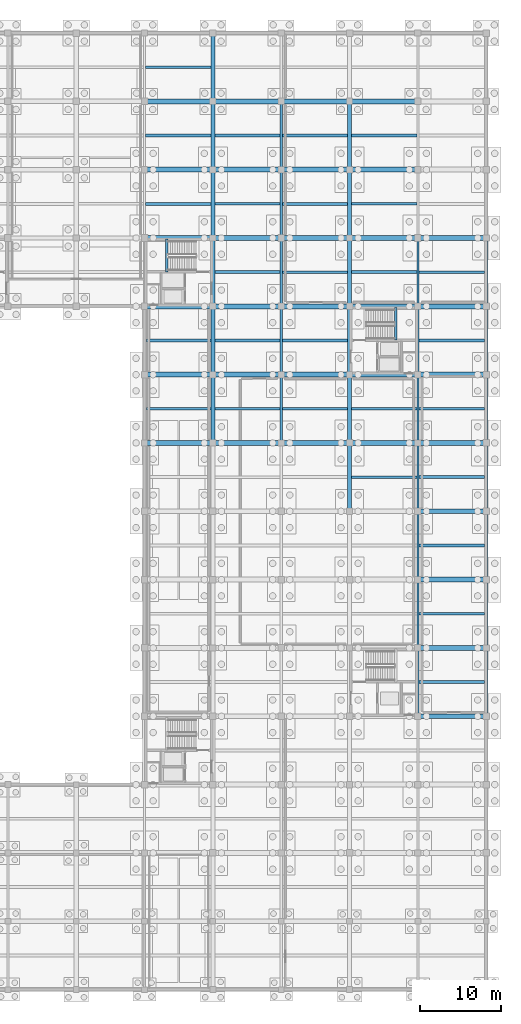
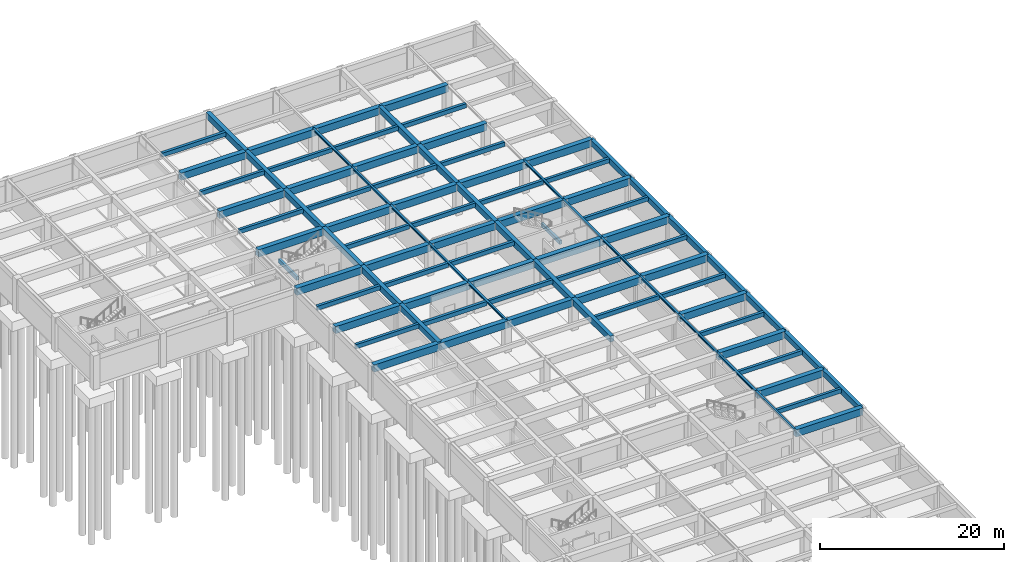
# One storey, part 13 of 33: 92 beams.
"""IFC4 building model written with IfcOpenShell, lengths in metres."""

from ifc_helpers import new_model, si_unit, direction, frame, origin, origin_2d, place, context, subcontext, project, spatial, rectangle, i_section, extrude, material, material_profile, profile_set, type_object, element, save


model = new_model("IFC4")

# Units and contexts
model_context = context("Model", 3, precision=1e-05, world=origin(), true_north=direction((0.0, 1.0)))
body_context = subcontext(model_context, "Body", "Model", "MODEL_VIEW")
ifc_project = project(units=[si_unit("LENGTHUNIT", "METRE"), si_unit("AREAUNIT", "SQUARE_METRE"), si_unit("VOLUMEUNIT", "CUBIC_METRE"), si_unit("PLANEANGLEUNIT", "RADIAN"), si_unit("MASSUNIT", "GRAM", prefix="KILO")], contexts=[model_context])

# Site, building, storey
site_placement = place(None, origin())
site = spatial("IfcSite", under=ifc_project, at=site_placement, CompositionType="ELEMENT")
building_placement = place(site_placement, origin())
building = spatial("IfcBuilding", under=site, at=building_placement, Name="Kveldsbrygga Polytechnic", CompositionType="ELEMENT")
storey_placement = place(building_placement, frame((0.0, 0.0, -4.419921875)))
storey = spatial("IfcBuildingStorey", under=building, at=storey_placement, Name="B1", CompositionType="ELEMENT", Elevation=-4.419921875)

# Beams
ifc_material_1 = material(Name="Concrete C35/45", Category="concrete")
ifc_material_profile_1 = material_profile(ifc_material_1, rectangle(XDim=0.449951171875, YDim=0.75, at=origin_2d()), Name="RC 450x750")
ifc_profile_set_1 = profile_set([ifc_material_profile_1], Name="Concrete C35/45")
beam_type_1 = type_object("IfcBeamType", Name="BM-RC-450x750", PredefinedType="BEAM", material=ifc_profile_set_1)
for number, where, z_axis, x_axis, name in (
    (1, (168.0, 33.60009765625, 3.744873046875), (0.0, 1.0, 0.0), (-1.0, 0.0, 0.0), "Primary Beam BMY-B1-20-04to05"),
    (2, (168.0, 42.0, 3.744873046875), (0.0, 1.0, 0.0), (-1.0, 0.0, 0.0), "Primary Beam BMY-B1-20-05to06"),
):
    element("IfcBeam", number, at=place(storey_placement, frame(where, z_axis=z_axis, x_axis=x_axis)), inside=storey, type_object=beam_type_1, Name=name, PredefinedType="BEAM", context=body_context, shape_type="SweptSolid", body=[
        extrude(rectangle(XDim=0.449951171875, YDim=0.75, at=origin_2d()), origin(), (0.0, 0.0, 1.0), 8.39990234375),
    ])
beam_1_placement = place(storey_placement, frame((168.0, 50.39990234375, 3.744873046875), z_axis=(0.0, 1.0, 0.0), x_axis=(-1.0, 0.0, 0.0)))
element("IfcBeam", 3, at=beam_1_placement, inside=storey, type_object=beam_type_1, Name="Primary Beam BMY-B1-20-06to07", PredefinedType="BEAM", context=body_context, shape_type="SweptSolid", body=[
    extrude(rectangle(XDim=0.449951171875, YDim=0.75, at=origin_2d()), origin(), (0.0, 0.0, 1.0), 8.400146484375),
])
beam_2_placement = place(storey_placement, frame((168.0, 58.800048828125, 3.744873046875), z_axis=(0.0, 1.0, 0.0), x_axis=(-1.0, 0.0, 0.0)))
element("IfcBeam", 4, at=beam_2_placement, inside=storey, type_object=beam_type_1, Name="Primary Beam BMY-B1-20-07to08", PredefinedType="BEAM", context=body_context, shape_type="SweptSolid", body=[
    extrude(rectangle(XDim=0.449951171875, YDim=0.75, at=origin_2d()), origin(), (0.0, 0.0, 1.0), 8.39990234375),
])
beam_3_placement = place(storey_placement, frame((168.0, 67.199951171875, 3.744873046875), z_axis=(0.0, 1.0, 0.0), x_axis=(-1.0, 0.0, 0.0)))
element("IfcBeam", 5, at=beam_3_placement, inside=storey, type_object=beam_type_1, Name="Primary Beam BMY-B1-20-08to09", PredefinedType="BEAM", context=body_context, shape_type="SweptSolid", body=[
    extrude(rectangle(XDim=0.449951171875, YDim=0.75, at=origin_2d()), origin(), (0.0, 0.0, 1.0), 8.400146484375),
])
for number, where, z_axis, x_axis, name in (
    (6, (168.0, 75.60009765625, 3.744873046875), (0.0, 1.0, 0.0), (-1.0, 0.0, 0.0), "Primary Beam BMY-B1-20-09to10"),
    (7, (168.0, 84.0, 3.744873046875), (0.0, 1.0, 0.0), (-1.0, 0.0, 0.0), "Primary Beam BMY-B1-20-10to11"),
):
    element("IfcBeam", number, at=place(storey_placement, frame(where, z_axis=z_axis, x_axis=x_axis)), inside=storey, type_object=beam_type_1, Name=name, PredefinedType="BEAM", context=body_context, shape_type="SweptSolid", body=[
        extrude(rectangle(XDim=0.449951171875, YDim=0.75, at=origin_2d()), origin(), (0.0, 0.0, 1.0), 8.39990234375),
    ])
ifc_material_profile_2 = material_profile(ifc_material_1, rectangle(XDim=0.5, YDim=0.800048828125, at=origin_2d()), Name="RC 500x800")
ifc_profile_set_2 = profile_set([ifc_material_profile_2], Name="Concrete C35/45")
beam_type_2 = type_object("IfcBeamType", Name="BM-RC-500x800", PredefinedType="BEAM", material=ifc_profile_set_2)
beam_4_placement = place(storey_placement, frame((134.39990234375, 67.199951171875, 3.719970703125), z_axis=(0.0, 1.0, 0.0), x_axis=(-1.0, 0.0, 0.0)))
element("IfcBeam", 8, at=beam_4_placement, inside=storey, type_object=beam_type_2, Name="Primary Beam BMY-B1-16-08to09", PredefinedType="BEAM", context=body_context, shape_type="SweptSolid", body=[
    extrude(rectangle(XDim=0.5, YDim=0.800048828125, at=origin_2d()), origin(), (0.0, 0.0, 1.0), 8.400146484375),
])
for number, where, z_axis, x_axis, name in (
    (9, (134.39990234375, 75.60009765625, 3.719970703125), (0.0, 1.0, 0.0), (-1.0, 0.0, 0.0), "Primary Beam BMY-B1-16-09to10"),
    (10, (134.39990234375, 84.0, 3.719970703125), (0.0, 1.0, 0.0), (-1.0, 0.0, 0.0), "Primary Beam BMY-B1-16-10to11"),
):
    element("IfcBeam", number, at=place(storey_placement, frame(where, z_axis=z_axis, x_axis=x_axis)), inside=storey, type_object=beam_type_2, Name=name, PredefinedType="BEAM", context=body_context, shape_type="SweptSolid", body=[
        extrude(rectangle(XDim=0.5, YDim=0.800048828125, at=origin_2d()), origin(), (0.0, 0.0, 1.0), 8.39990234375),
    ])
beam_5_placement = place(storey_placement, frame((134.39990234375, 92.39990234375, 3.719970703125), z_axis=(0.0, 1.0, 0.0), x_axis=(-1.0, 0.0, 0.0)))
element("IfcBeam", 11, at=beam_5_placement, inside=storey, type_object=beam_type_2, Name="Primary Beam BMY-B1-16-11to12", PredefinedType="BEAM", context=body_context, shape_type="SweptSolid", body=[
    extrude(rectangle(XDim=0.5, YDim=0.800048828125, at=origin_2d()), origin(), (0.0, 0.0, 1.0), 8.400146484375),
])
beam_6_placement = place(storey_placement, frame((134.39990234375, 100.800048828125, 3.719970703125), z_axis=(0.0, 1.0, 0.0), x_axis=(-1.0, 0.0, 0.0)))
element("IfcBeam", 12, at=beam_6_placement, inside=storey, type_object=beam_type_2, Name="Primary Beam BMY-B1-16-12to13", PredefinedType="BEAM", context=body_context, shape_type="SweptSolid", body=[
    extrude(rectangle(XDim=0.5, YDim=0.800048828125, at=origin_2d()), origin(), (0.0, 0.0, 1.0), 8.39990234375),
])
beam_7_placement = place(storey_placement, frame((134.39990234375, 109.199951171875, 3.719970703125), z_axis=(0.0, 1.0, 0.0), x_axis=(-1.0, 0.0, 0.0)))
element("IfcBeam", 13, at=beam_7_placement, inside=storey, type_object=beam_type_2, Name="Primary Beam BMY-B1-16-13to14", PredefinedType="BEAM", context=body_context, shape_type="SweptSolid", body=[
    extrude(rectangle(XDim=0.5, YDim=0.800048828125, at=origin_2d()), origin(), (0.0, 0.0, 1.0), 8.400146484375),
])
beam_8_placement = place(storey_placement, frame((151.199951171875, 58.800048828125, 3.719970703125), z_axis=(0.0, 1.0, 0.0), x_axis=(-1.0, 0.0, 0.0)))
element("IfcBeam", 14, at=beam_8_placement, inside=storey, type_object=beam_type_2, Name="Primary Beam BMY-B1-18-07to08", PredefinedType="BEAM", context=body_context, shape_type="SweptSolid", body=[
    extrude(rectangle(XDim=0.5, YDim=0.800048828125, at=origin_2d()), origin(), (0.0, 0.0, 1.0), 8.39990234375),
])
beam_9_placement = place(storey_placement, frame((151.199951171875, 67.199951171875, 3.719970703125), z_axis=(0.0, 1.0, 0.0), x_axis=(-1.0, 0.0, 0.0)))
element("IfcBeam", 15, at=beam_9_placement, inside=storey, type_object=beam_type_2, Name="Primary Beam BMY-B1-18-08to09", PredefinedType="BEAM", context=body_context, shape_type="SweptSolid", body=[
    extrude(rectangle(XDim=0.5, YDim=0.800048828125, at=origin_2d()), origin(), (0.0, 0.0, 1.0), 8.400146484375),
])
for number, where, z_axis, x_axis, name in (
    (16, (151.199951171875, 75.60009765625, 3.719970703125), (0.0, 1.0, 0.0), (-1.0, 0.0, 0.0), "Primary Beam BMY-B1-18-09to10"),
    (17, (151.199951171875, 84.0, 3.719970703125), (0.0, 1.0, 0.0), (-1.0, 0.0, 0.0), "Primary Beam BMY-B1-18-10to11"),
):
    element("IfcBeam", number, at=place(storey_placement, frame(where, z_axis=z_axis, x_axis=x_axis)), inside=storey, type_object=beam_type_2, Name=name, PredefinedType="BEAM", context=body_context, shape_type="SweptSolid", body=[
        extrude(rectangle(XDim=0.5, YDim=0.800048828125, at=origin_2d()), origin(), (0.0, 0.0, 1.0), 8.39990234375),
    ])
beam_10_placement = place(storey_placement, frame((151.199951171875, 92.39990234375, 3.719970703125), z_axis=(0.0, 1.0, 0.0), x_axis=(-1.0, 0.0, 0.0)))
element("IfcBeam", 18, at=beam_10_placement, inside=storey, type_object=beam_type_2, Name="Primary Beam BMY-B1-18-11to12", PredefinedType="BEAM", context=body_context, shape_type="SweptSolid", body=[
    extrude(rectangle(XDim=0.5, YDim=0.800048828125, at=origin_2d()), origin(), (0.0, 0.0, 1.0), 8.400146484375),
])
beam_11_placement = place(storey_placement, frame((151.199951171875, 100.800048828125, 3.719970703125), z_axis=(0.0, 1.0, 0.0), x_axis=(-1.0, 0.0, 0.0)))
element("IfcBeam", 19, at=beam_11_placement, inside=storey, type_object=beam_type_2, Name="Primary Beam BMY-B1-18-12to13", PredefinedType="BEAM", context=body_context, shape_type="SweptSolid", body=[
    extrude(rectangle(XDim=0.5, YDim=0.800048828125, at=origin_2d()), origin(), (0.0, 0.0, 1.0), 8.39990234375),
])
ifc_material_2 = material(Name="Concrete C45/55", Category="concrete")
ifc_material_profile_3 = material_profile(ifc_material_2, rectangle(XDim=0.60009765625, YDim=0.949951171875, at=origin_2d()), Name="RC 600x950")
ifc_profile_set_3 = profile_set([ifc_material_profile_3], Name="Concrete C45/55")
beam_type_3 = type_object("IfcBeamType", Name="BM-RC-600x950", PredefinedType="BEAM", material=ifc_profile_set_3)
for number, where, z_axis, x_axis, name in (
    (20, (159.60009765625, 33.60009765625, 3.64501953125), (1.0, 0.0, 0.0), (0.0, 1.0, 0.0), "Primary Beam BMX-B1-19to20-04"),
    (21, (159.60009765625, 42.0, 3.64501953125), (1.0, 0.0, 0.0), (0.0, 1.0, 0.0), "Primary Beam BMX-B1-19to20-05"),
    (22, (159.60009765625, 50.39990234375, 3.64501953125), (1.0, 0.0, 0.0), (0.0, 1.0, 0.0), "Primary Beam BMX-B1-19to20-06"),
    (23, (159.60009765625, 58.800048828125, 3.64501953125), (1.0, 0.0, 0.0), (0.0, 1.0, 0.0), "Primary Beam BMX-B1-19to20-07"),
    (24, (126.0, 67.199951171875, 3.64501953125), (1.0, 0.0, 0.0), (0.0, 1.0, 0.0), "Primary Beam BMX-B1-15to16-08"),
):
    element("IfcBeam", number, at=place(storey_placement, frame(where, z_axis=z_axis, x_axis=x_axis)), inside=storey, type_object=beam_type_3, Name=name, PredefinedType="BEAM", context=body_context, shape_type="SweptSolid", body=[
        extrude(rectangle(XDim=0.60009765625, YDim=0.949951171875, at=origin_2d()), origin(), (0.0, 0.0, 1.0), 8.39990234375),
    ])
beam_12_placement = place(storey_placement, frame((134.39990234375, 67.199951171875, 3.64501953125), z_axis=(1.0, 0.0, 0.0), x_axis=(0.0, 1.0, 0.0)))
element("IfcBeam", 25, at=beam_12_placement, inside=storey, type_object=beam_type_3, Name="Primary Beam BMX-B1-16to17-08", PredefinedType="BEAM", context=body_context, shape_type="SweptSolid", body=[
    extrude(rectangle(XDim=0.60009765625, YDim=0.949951171875, at=origin_2d()), origin(), (0.0, 0.0, 1.0), 8.400146484375),
])
beam_13_placement = place(storey_placement, frame((142.800048828125, 67.199951171875, 3.64501953125), z_axis=(1.0, 0.0, 0.0), x_axis=(0.0, 1.0, 0.0)))
element("IfcBeam", 26, at=beam_13_placement, inside=storey, type_object=beam_type_3, Name="Primary Beam BMX-B1-17to18-08", PredefinedType="BEAM", context=body_context, shape_type="SweptSolid", body=[
    extrude(rectangle(XDim=0.60009765625, YDim=0.949951171875, at=origin_2d()), origin(), (0.0, 0.0, 1.0), 8.39990234375),
])
beam_14_placement = place(storey_placement, frame((151.199951171875, 67.199951171875, 3.64501953125), z_axis=(1.0, 0.0, 0.0), x_axis=(0.0, 1.0, 0.0)))
element("IfcBeam", 27, at=beam_14_placement, inside=storey, type_object=beam_type_3, Name="Primary Beam BMX-B1-18to19-08", PredefinedType="BEAM", context=body_context, shape_type="SweptSolid", body=[
    extrude(rectangle(XDim=0.60009765625, YDim=0.949951171875, at=origin_2d()), origin(), (0.0, 0.0, 1.0), 8.400146484375),
])
for number, where, z_axis, x_axis, name in (
    (28, (159.60009765625, 67.199951171875, 3.64501953125), (1.0, 0.0, 0.0), (0.0, 1.0, 0.0), "Primary Beam BMX-B1-19to20-08"),
    (29, (126.0, 75.60009765625, 3.64501953125), (1.0, 0.0, 0.0), (0.0, 1.0, 0.0), "Primary Beam BMX-B1-15to16-09"),
):
    element("IfcBeam", number, at=place(storey_placement, frame(where, z_axis=z_axis, x_axis=x_axis)), inside=storey, type_object=beam_type_3, Name=name, PredefinedType="BEAM", context=body_context, shape_type="SweptSolid", body=[
        extrude(rectangle(XDim=0.60009765625, YDim=0.949951171875, at=origin_2d()), origin(), (0.0, 0.0, 1.0), 8.39990234375),
    ])
beam_15_placement = place(storey_placement, frame((134.39990234375, 75.60009765625, 3.64501953125), z_axis=(1.0, 0.0, 0.0), x_axis=(0.0, 1.0, 0.0)))
element("IfcBeam", 30, at=beam_15_placement, inside=storey, type_object=beam_type_3, Name="Primary Beam BMX-B1-16to17-09", PredefinedType="BEAM", context=body_context, shape_type="SweptSolid", body=[
    extrude(rectangle(XDim=0.60009765625, YDim=0.949951171875, at=origin_2d()), origin(), (0.0, 0.0, 1.0), 8.400146484375),
])
beam_16_placement = place(storey_placement, frame((142.800048828125, 75.60009765625, 3.64501953125), z_axis=(1.0, 0.0, 0.0), x_axis=(0.0, 1.0, 0.0)))
element("IfcBeam", 31, at=beam_16_placement, inside=storey, type_object=beam_type_3, Name="Primary Beam BMX-B1-17to18-09", PredefinedType="BEAM", context=body_context, shape_type="SweptSolid", body=[
    extrude(rectangle(XDim=0.60009765625, YDim=0.949951171875, at=origin_2d()), origin(), (0.0, 0.0, 1.0), 8.39990234375),
])
beam_17_placement = place(storey_placement, frame((151.199951171875, 75.60009765625, 3.64501953125), z_axis=(1.0, 0.0, 0.0), x_axis=(0.0, 1.0, 0.0)))
element("IfcBeam", 32, at=beam_17_placement, inside=storey, type_object=beam_type_3, Name="Primary Beam BMX-B1-18to19-09", PredefinedType="BEAM", context=body_context, shape_type="SweptSolid", body=[
    extrude(rectangle(XDim=0.60009765625, YDim=0.949951171875, at=origin_2d()), origin(), (0.0, 0.0, 1.0), 8.400146484375),
])
for number, where, z_axis, x_axis, name in (
    (33, (159.60009765625, 75.60009765625, 3.64501953125), (1.0, 0.0, 0.0), (0.0, 1.0, 0.0), "Primary Beam BMX-B1-19to20-09"),
    (34, (126.0, 84.0, 3.64501953125), (1.0, 0.0, 0.0), (0.0, 1.0, 0.0), "Primary Beam BMX-B1-15to16-10"),
):
    element("IfcBeam", number, at=place(storey_placement, frame(where, z_axis=z_axis, x_axis=x_axis)), inside=storey, type_object=beam_type_3, Name=name, PredefinedType="BEAM", context=body_context, shape_type="SweptSolid", body=[
        extrude(rectangle(XDim=0.60009765625, YDim=0.949951171875, at=origin_2d()), origin(), (0.0, 0.0, 1.0), 8.39990234375),
    ])
beam_18_placement = place(storey_placement, frame((134.39990234375, 84.0, 3.64501953125), z_axis=(1.0, 0.0, 0.0), x_axis=(0.0, 1.0, 0.0)))
element("IfcBeam", 35, at=beam_18_placement, inside=storey, type_object=beam_type_3, Name="Primary Beam BMX-B1-16to17-10", PredefinedType="BEAM", context=body_context, shape_type="SweptSolid", body=[
    extrude(rectangle(XDim=0.60009765625, YDim=0.949951171875, at=origin_2d()), origin(), (0.0, 0.0, 1.0), 8.400146484375),
])
beam_19_placement = place(storey_placement, frame((142.800048828125, 84.0, 3.64501953125), z_axis=(1.0, 0.0, 0.0), x_axis=(0.0, 1.0, 0.0)))
element("IfcBeam", 36, at=beam_19_placement, inside=storey, type_object=beam_type_3, Name="Primary Beam BMX-B1-17to18-10", PredefinedType="BEAM", context=body_context, shape_type="SweptSolid", body=[
    extrude(rectangle(XDim=0.60009765625, YDim=0.949951171875, at=origin_2d()), origin(), (0.0, 0.0, 1.0), 8.39990234375),
])
beam_20_placement = place(storey_placement, frame((151.199951171875, 84.0, 3.64501953125), z_axis=(1.0, 0.0, 0.0), x_axis=(0.0, 1.0, 0.0)))
element("IfcBeam", 37, at=beam_20_placement, inside=storey, type_object=beam_type_3, Name="Primary Beam BMX-B1-18to19-10", PredefinedType="BEAM", context=body_context, shape_type="SweptSolid", body=[
    extrude(rectangle(XDim=0.60009765625, YDim=0.949951171875, at=origin_2d()), origin(), (0.0, 0.0, 1.0), 8.400146484375),
])
for number, where, z_axis, x_axis, name in (
    (38, (159.60009765625, 84.0, 3.64501953125), (1.0, 0.0, 0.0), (0.0, 1.0, 0.0), "Primary Beam BMX-B1-19to20-10"),
    (39, (126.0, 92.39990234375, 3.64501953125), (1.0, 0.0, 0.0), (0.0, 1.0, 0.0), "Primary Beam BMX-B1-15to16-11"),
):
    element("IfcBeam", number, at=place(storey_placement, frame(where, z_axis=z_axis, x_axis=x_axis)), inside=storey, type_object=beam_type_3, Name=name, PredefinedType="BEAM", context=body_context, shape_type="SweptSolid", body=[
        extrude(rectangle(XDim=0.60009765625, YDim=0.949951171875, at=origin_2d()), origin(), (0.0, 0.0, 1.0), 8.39990234375),
    ])
beam_21_placement = place(storey_placement, frame((134.39990234375, 92.39990234375, 3.64501953125), z_axis=(1.0, 0.0, 0.0), x_axis=(0.0, 1.0, 0.0)))
element("IfcBeam", 40, at=beam_21_placement, inside=storey, type_object=beam_type_3, Name="Primary Beam BMX-B1-16to17-11", PredefinedType="BEAM", context=body_context, shape_type="SweptSolid", body=[
    extrude(rectangle(XDim=0.60009765625, YDim=0.949951171875, at=origin_2d()), origin(), (0.0, 0.0, 1.0), 8.400146484375),
])
beam_22_placement = place(storey_placement, frame((142.800048828125, 92.39990234375, 3.64501953125), z_axis=(1.0, 0.0, 0.0), x_axis=(0.0, 1.0, 0.0)))
element("IfcBeam", 41, at=beam_22_placement, inside=storey, type_object=beam_type_3, Name="Primary Beam BMX-B1-17to18-11", PredefinedType="BEAM", context=body_context, shape_type="SweptSolid", body=[
    extrude(rectangle(XDim=0.60009765625, YDim=0.949951171875, at=origin_2d()), origin(), (0.0, 0.0, 1.0), 8.39990234375),
])
beam_23_placement = place(storey_placement, frame((151.199951171875, 92.39990234375, 3.64501953125), z_axis=(1.0, 0.0, 0.0), x_axis=(0.0, 1.0, 0.0)))
element("IfcBeam", 42, at=beam_23_placement, inside=storey, type_object=beam_type_3, Name="Primary Beam BMX-B1-18to19-11", PredefinedType="BEAM", context=body_context, shape_type="SweptSolid", body=[
    extrude(rectangle(XDim=0.60009765625, YDim=0.949951171875, at=origin_2d()), origin(), (0.0, 0.0, 1.0), 8.400146484375),
])
for number, where, z_axis, x_axis, name in (
    (43, (159.60009765625, 92.39990234375, 3.64501953125), (1.0, 0.0, 0.0), (0.0, 1.0, 0.0), "Primary Beam BMX-B1-19to20-11"),
    (44, (126.0, 100.800048828125, 3.64501953125), (1.0, 0.0, 0.0), (0.0, 1.0, 0.0), "Primary Beam BMX-B1-15to16-12"),
):
    element("IfcBeam", number, at=place(storey_placement, frame(where, z_axis=z_axis, x_axis=x_axis)), inside=storey, type_object=beam_type_3, Name=name, PredefinedType="BEAM", context=body_context, shape_type="SweptSolid", body=[
        extrude(rectangle(XDim=0.60009765625, YDim=0.949951171875, at=origin_2d()), origin(), (0.0, 0.0, 1.0), 8.39990234375),
    ])
beam_24_placement = place(storey_placement, frame((134.39990234375, 100.800048828125, 3.64501953125), z_axis=(1.0, 0.0, 0.0), x_axis=(0.0, 1.0, 0.0)))
element("IfcBeam", 45, at=beam_24_placement, inside=storey, type_object=beam_type_3, Name="Primary Beam BMX-B1-16to17-12", PredefinedType="BEAM", context=body_context, shape_type="SweptSolid", body=[
    extrude(rectangle(XDim=0.60009765625, YDim=0.949951171875, at=origin_2d()), origin(), (0.0, 0.0, 1.0), 8.400146484375),
])
beam_25_placement = place(storey_placement, frame((142.800048828125, 100.800048828125, 3.64501953125), z_axis=(1.0, 0.0, 0.0), x_axis=(0.0, 1.0, 0.0)))
element("IfcBeam", 46, at=beam_25_placement, inside=storey, type_object=beam_type_3, Name="Primary Beam BMX-B1-17to18-12", PredefinedType="BEAM", context=body_context, shape_type="SweptSolid", body=[
    extrude(rectangle(XDim=0.60009765625, YDim=0.949951171875, at=origin_2d()), origin(), (0.0, 0.0, 1.0), 8.39990234375),
])
beam_26_placement = place(storey_placement, frame((151.199951171875, 100.800048828125, 3.64501953125), z_axis=(1.0, 0.0, 0.0), x_axis=(0.0, 1.0, 0.0)))
element("IfcBeam", 47, at=beam_26_placement, inside=storey, type_object=beam_type_3, Name="Primary Beam BMX-B1-18to19-12", PredefinedType="BEAM", context=body_context, shape_type="SweptSolid", body=[
    extrude(rectangle(XDim=0.60009765625, YDim=0.949951171875, at=origin_2d()), origin(), (0.0, 0.0, 1.0), 8.400146484375),
])
beam_27_placement = place(storey_placement, frame((126.0, 109.199951171875, 3.64501953125), z_axis=(1.0, 0.0, 0.0), x_axis=(0.0, 1.0, 0.0)))
element("IfcBeam", 48, at=beam_27_placement, inside=storey, type_object=beam_type_3, Name="Primary Beam BMX-B1-15to16-13", PredefinedType="BEAM", context=body_context, shape_type="SweptSolid", body=[
    extrude(rectangle(XDim=0.60009765625, YDim=0.949951171875, at=origin_2d()), origin(), (0.0, 0.0, 1.0), 8.39990234375),
])
beam_28_placement = place(storey_placement, frame((134.39990234375, 109.199951171875, 3.64501953125), z_axis=(1.0, 0.0, 0.0), x_axis=(0.0, 1.0, 0.0)))
element("IfcBeam", 49, at=beam_28_placement, inside=storey, type_object=beam_type_3, Name="Primary Beam BMX-B1-16to17-13", PredefinedType="BEAM", context=body_context, shape_type="SweptSolid", body=[
    extrude(rectangle(XDim=0.60009765625, YDim=0.949951171875, at=origin_2d()), origin(), (0.0, 0.0, 1.0), 8.400146484375),
])
beam_29_placement = place(storey_placement, frame((142.800048828125, 109.199951171875, 3.64501953125), z_axis=(1.0, 0.0, 0.0), x_axis=(0.0, 1.0, 0.0)))
element("IfcBeam", 50, at=beam_29_placement, inside=storey, type_object=beam_type_3, Name="Primary Beam BMX-B1-17to18-13", PredefinedType="BEAM", context=body_context, shape_type="SweptSolid", body=[
    extrude(rectangle(XDim=0.60009765625, YDim=0.949951171875, at=origin_2d()), origin(), (0.0, 0.0, 1.0), 8.39990234375),
])
beam_30_placement = place(storey_placement, frame((151.199951171875, 109.199951171875, 3.64501953125), z_axis=(1.0, 0.0, 0.0), x_axis=(0.0, 1.0, 0.0)))
element("IfcBeam", 51, at=beam_30_placement, inside=storey, type_object=beam_type_3, Name="Primary Beam BMX-B1-18to19-13", PredefinedType="BEAM", context=body_context, shape_type="SweptSolid", body=[
    extrude(rectangle(XDim=0.60009765625, YDim=0.949951171875, at=origin_2d()), origin(), (0.0, 0.0, 1.0), 8.400146484375),
])
ifc_material_3 = material(Name="Steel S355", Category="steel")
ifc_material_profile_4 = material_profile(ifc_material_3, i_section(OverallWidth=0.260009765625, OverallDepth=0.260009765625, WebThickness=0.010009765625, FlangeThickness=0.017578125, FilletRadius=0.02392578125, at=origin_2d()), Name="HEB 260")
ifc_profile_set_4 = profile_set([ifc_material_profile_4], Name="Steel S355")
beam_type_4 = type_object("IfcBeamType", Name="BM-STL-HEB260", PredefinedType="BEAM", material=ifc_profile_set_4)
beam_31_placement = place(storey_placement, frame((142.800048828125, 67.199951171875, 3.989990234375), z_axis=(0.0, 1.0, 0.0), x_axis=(-1.0, 0.0, 0.0)))
element("IfcBeam", 52, at=beam_31_placement, inside=storey, type_object=beam_type_4, Name="Primary Beam BMY-B1-17-08to09", PredefinedType="BEAM", context=body_context, shape_type="SweptSolid", body=[
    extrude(i_section(OverallWidth=0.260009765625, OverallDepth=0.260009765625, WebThickness=0.010009765625, FlangeThickness=0.017578125, FilletRadius=0.02392578125, at=origin_2d()), origin(), (0.0, 0.0, 1.0), 8.400146484375),
])
for number, where, z_axis, x_axis, name in (
    (53, (142.800048828125, 75.60009765625, 3.989990234375), (0.0, 1.0, 0.0), (-1.0, 0.0, 0.0), "Primary Beam BMY-B1-17-09to10"),
    (54, (142.800048828125, 84.0, 3.989990234375), (0.0, 1.0, 0.0), (-1.0, 0.0, 0.0), "Primary Beam BMY-B1-17-10to11"),
):
    element("IfcBeam", number, at=place(storey_placement, frame(where, z_axis=z_axis, x_axis=x_axis)), inside=storey, type_object=beam_type_4, Name=name, PredefinedType="BEAM", context=body_context, shape_type="SweptSolid", body=[
        extrude(i_section(OverallWidth=0.260009765625, OverallDepth=0.260009765625, WebThickness=0.010009765625, FlangeThickness=0.017578125, FilletRadius=0.02392578125, at=origin_2d()), origin(), (0.0, 0.0, 1.0), 8.39990234375),
    ])
beam_32_placement = place(storey_placement, frame((142.800048828125, 92.39990234375, 3.989990234375), z_axis=(0.0, 1.0, 0.0), x_axis=(-1.0, 0.0, 0.0)))
element("IfcBeam", 55, at=beam_32_placement, inside=storey, type_object=beam_type_4, Name="Primary Beam BMY-B1-17-11to12", PredefinedType="BEAM", context=body_context, shape_type="SweptSolid", body=[
    extrude(i_section(OverallWidth=0.260009765625, OverallDepth=0.260009765625, WebThickness=0.010009765625, FlangeThickness=0.017578125, FilletRadius=0.02392578125, at=origin_2d()), origin(), (0.0, 0.0, 1.0), 8.400146484375),
])
for number, where, z_axis, x_axis, name in (
    (56, (142.800048828125, 100.800048828125, 3.989990234375), (0.0, 1.0, 0.0), (-1.0, 0.0, 0.0), "Primary Beam BMY-B1-17-12to13"),
    (57, (159.60009765625, 33.60009765625, 3.989990234375), (0.0, 1.0, 0.0), (-1.0, 0.0, 0.0), "Primary Beam BMY-B1-19-04to05"),
    (58, (159.60009765625, 42.0, 3.989990234375), (0.0, 1.0, 0.0), (-1.0, 0.0, 0.0), "Primary Beam BMY-B1-19-05to06"),
):
    element("IfcBeam", number, at=place(storey_placement, frame(where, z_axis=z_axis, x_axis=x_axis)), inside=storey, type_object=beam_type_4, Name=name, PredefinedType="BEAM", context=body_context, shape_type="SweptSolid", body=[
        extrude(i_section(OverallWidth=0.260009765625, OverallDepth=0.260009765625, WebThickness=0.010009765625, FlangeThickness=0.017578125, FilletRadius=0.02392578125, at=origin_2d()), origin(), (0.0, 0.0, 1.0), 8.39990234375),
    ])
beam_33_placement = place(storey_placement, frame((159.60009765625, 50.39990234375, 3.989990234375), z_axis=(0.0, 1.0, 0.0), x_axis=(-1.0, 0.0, 0.0)))
element("IfcBeam", 59, at=beam_33_placement, inside=storey, type_object=beam_type_4, Name="Primary Beam BMY-B1-19-06to07", PredefinedType="BEAM", context=body_context, shape_type="SweptSolid", body=[
    extrude(i_section(OverallWidth=0.260009765625, OverallDepth=0.260009765625, WebThickness=0.010009765625, FlangeThickness=0.017578125, FilletRadius=0.02392578125, at=origin_2d()), origin(), (0.0, 0.0, 1.0), 8.400146484375),
])
beam_34_placement = place(storey_placement, frame((159.60009765625, 58.800048828125, 3.989990234375), z_axis=(0.0, 1.0, 0.0), x_axis=(-1.0, 0.0, 0.0)))
element("IfcBeam", 60, at=beam_34_placement, inside=storey, type_object=beam_type_4, Name="Primary Beam BMY-B1-19-07to08", PredefinedType="BEAM", context=body_context, shape_type="SweptSolid", body=[
    extrude(i_section(OverallWidth=0.260009765625, OverallDepth=0.260009765625, WebThickness=0.010009765625, FlangeThickness=0.017578125, FilletRadius=0.02392578125, at=origin_2d()), origin(), (0.0, 0.0, 1.0), 8.39990234375),
])
beam_35_placement = place(storey_placement, frame((159.60009765625, 67.199951171875, 3.989990234375), z_axis=(0.0, 1.0, 0.0), x_axis=(-1.0, 0.0, 0.0)))
element("IfcBeam", 61, at=beam_35_placement, inside=storey, type_object=beam_type_4, Name="Primary Beam BMY-B1-19-08to09", PredefinedType="BEAM", context=body_context, shape_type="SweptSolid", body=[
    extrude(i_section(OverallWidth=0.260009765625, OverallDepth=0.260009765625, WebThickness=0.010009765625, FlangeThickness=0.017578125, FilletRadius=0.02392578125, at=origin_2d()), origin(), (0.0, 0.0, 1.0), 8.400146484375),
])
for number, where, z_axis, x_axis, name in (
    (62, (159.60009765625, 75.60009765625, 3.989990234375), (0.0, 1.0, 0.0), (-1.0, 0.0, 0.0), "Primary Beam BMY-B1-19-09to10"),
    (63, (159.60009765625, 84.0, 3.989990234375), (0.0, 1.0, 0.0), (-1.0, 0.0, 0.0), "Primary Beam BMY-B1-19-10to11"),
):
    element("IfcBeam", number, at=place(storey_placement, frame(where, z_axis=z_axis, x_axis=x_axis)), inside=storey, type_object=beam_type_4, Name=name, PredefinedType="BEAM", context=body_context, shape_type="SweptSolid", body=[
        extrude(i_section(OverallWidth=0.260009765625, OverallDepth=0.260009765625, WebThickness=0.010009765625, FlangeThickness=0.017578125, FilletRadius=0.02392578125, at=origin_2d()), origin(), (0.0, 0.0, 1.0), 8.39990234375),
    ])
ifc_material_profile_5 = material_profile(ifc_material_1, rectangle(XDim=0.340087890625, YDim=0.56005859375, at=origin_2d()), Name="RC 340x560")
ifc_profile_set_5 = profile_set([ifc_material_profile_5], Name="Concrete C35/45")
beam_type_5 = type_object("IfcBeamType", Name="JST-RC-340x560", PredefinedType="JOIST", material=ifc_profile_set_5)
beam_36_placement = place(storey_placement, frame((126.22509765625, 71.39990234375, 3.83984375), z_axis=(1.0, 0.0, 0.0), x_axis=(0.0, 1.0, 0.0)))
element("IfcBeam", 64, at=beam_36_placement, inside=storey, type_object=beam_type_5, Name="Secondary Joist JST-B1-15-08", PredefinedType="JOIST", context=body_context, shape_type="SweptSolid", body=[
    extrude(rectangle(XDim=0.340087890625, YDim=0.56005859375, at=origin_2d()), origin(), (0.0, 0.0, 1.0), 7.9248046875),
])
for number, where, z_axis, x_axis, name in (
    (65, (126.1298828125, 105.0, 3.83984375), (1.0, 0.0, 0.0), (0.0, 1.0, 0.0), "Secondary Joist JST-B1-15-12"),
    (66, (134.64990234375, 79.800048828125, 3.83984375), (1.0, 0.0, 0.0), (0.0, 1.0, 0.0), "Secondary Joist JST-B1-16-09"),
    (67, (134.64990234375, 96.60009765625, 3.83984375), (1.0, 0.0, 0.0), (0.0, 1.0, 0.0), "Secondary Joist JST-B1-16-11"),
    (68, (142.929931640625, 71.39990234375, 3.83984375), (1.0, 0.0, 0.0), (0.0, 1.0, 0.0), "Secondary Joist JST-B1-17-08"),
    (69, (142.929931640625, 88.199951171875, 3.83984375), (1.0, 0.0, 0.0), (0.0, 1.0, 0.0), "Secondary Joist JST-B1-17-10"),
    (70, (142.929931640625, 105.0, 3.83984375), (1.0, 0.0, 0.0), (0.0, 1.0, 0.0), "Secondary Joist JST-B1-17-12"),
    (71, (151.449951171875, 63.0, 3.83984375), (1.0, 0.0, 0.0), (0.0, 1.0, 0.0), "Secondary Joist JST-B1-18-07"),
    (72, (151.449951171875, 96.60009765625, 3.83984375), (1.0, 0.0, 0.0), (0.0, 1.0, 0.0), "Secondary Joist JST-B1-18-11"),
):
    element("IfcBeam", number, at=place(storey_placement, frame(where, z_axis=z_axis, x_axis=x_axis)), inside=storey, type_object=beam_type_5, Name=name, PredefinedType="JOIST", context=body_context, shape_type="SweptSolid", body=[
        extrude(rectangle(XDim=0.340087890625, YDim=0.56005859375, at=origin_2d()), origin(), (0.0, 0.0, 1.0), 8.02001953125),
    ])
for number, where, z_axis, x_axis, name in (
    (73, (159.72998046875, 37.800048828125, 3.83984375), (1.0, 0.0, 0.0), (0.0, 1.0, 0.0), "Secondary Joist JST-B1-19-04"),
    (74, (159.72998046875, 54.60009765625, 3.83984375), (1.0, 0.0, 0.0), (0.0, 1.0, 0.0), "Secondary Joist JST-B1-19-06"),
    (75, (159.72998046875, 71.39990234375, 3.83984375), (1.0, 0.0, 0.0), (0.0, 1.0, 0.0), "Secondary Joist JST-B1-19-08"),
    (76, (159.72998046875, 88.199951171875, 3.83984375), (1.0, 0.0, 0.0), (0.0, 1.0, 0.0), "Secondary Joist JST-B1-19-10"),
):
    element("IfcBeam", number, at=place(storey_placement, frame(where, z_axis=z_axis, x_axis=x_axis)), inside=storey, type_object=beam_type_5, Name=name, PredefinedType="JOIST", context=body_context, shape_type="SweptSolid", body=[
        extrude(rectangle(XDim=0.340087890625, YDim=0.56005859375, at=origin_2d()), origin(), (0.0, 0.0, 1.0), 8.044921875),
    ])
ifc_material_profile_6 = material_profile(ifc_material_1, rectangle(XDim=0.35009765625, YDim=0.550048828125, at=origin_2d()), Name="RC 350x550")
ifc_profile_set_6 = profile_set([ifc_material_profile_6], Name="Concrete C35/45")
beam_type_6 = type_object("IfcBeamType", Name="JST-RC-350x550", PredefinedType="JOIST", material=ifc_profile_set_6)
beam_37_placement = place(storey_placement, frame((126.22509765625, 79.800048828125, 3.844970703125), z_axis=(1.0, 0.0, 0.0), x_axis=(0.0, 1.0, 0.0)))
element("IfcBeam", 77, at=beam_37_placement, inside=storey, type_object=beam_type_6, Name="Secondary Joist JST-B1-15-09", PredefinedType="JOIST", context=body_context, shape_type="SweptSolid", body=[
    extrude(rectangle(XDim=0.35009765625, YDim=0.550048828125, at=origin_2d()), origin(), (0.0, 0.0, 1.0), 7.9248046875),
])
for number, where, z_axis, x_axis, name in (
    (78, (126.1298828125, 96.60009765625, 3.844970703125), (1.0, 0.0, 0.0), (0.0, 1.0, 0.0), "Secondary Joist JST-B1-15-11"),
    (79, (126.1298828125, 113.39990234375, 3.844970703125), (1.0, 0.0, 0.0), (0.0, 1.0, 0.0), "Secondary Joist JST-B1-15-13"),
    (80, (134.64990234375, 71.39990234375, 3.844970703125), (1.0, 0.0, 0.0), (0.0, 1.0, 0.0), "Secondary Joist JST-B1-16-08"),
    (81, (134.64990234375, 88.199951171875, 3.844970703125), (1.0, 0.0, 0.0), (0.0, 1.0, 0.0), "Secondary Joist JST-B1-16-10"),
    (82, (134.64990234375, 105.0, 3.844970703125), (1.0, 0.0, 0.0), (0.0, 1.0, 0.0), "Secondary Joist JST-B1-16-12"),
    (83, (142.929931640625, 79.800048828125, 3.844970703125), (1.0, 0.0, 0.0), (0.0, 1.0, 0.0), "Secondary Joist JST-B1-17-09"),
    (84, (142.929931640625, 96.60009765625, 3.844970703125), (1.0, 0.0, 0.0), (0.0, 1.0, 0.0), "Secondary Joist JST-B1-17-11"),
    (85, (151.449951171875, 71.39990234375, 3.844970703125), (1.0, 0.0, 0.0), (0.0, 1.0, 0.0), "Secondary Joist JST-B1-18-08"),
    (86, (151.449951171875, 88.199951171875, 3.844970703125), (1.0, 0.0, 0.0), (0.0, 1.0, 0.0), "Secondary Joist JST-B1-18-10"),
    (87, (151.449951171875, 105.0, 3.844970703125), (1.0, 0.0, 0.0), (0.0, 1.0, 0.0), "Secondary Joist JST-B1-18-12"),
):
    element("IfcBeam", number, at=place(storey_placement, frame(where, z_axis=z_axis, x_axis=x_axis)), inside=storey, type_object=beam_type_6, Name=name, PredefinedType="JOIST", context=body_context, shape_type="SweptSolid", body=[
        extrude(rectangle(XDim=0.35009765625, YDim=0.550048828125, at=origin_2d()), origin(), (0.0, 0.0, 1.0), 8.02001953125),
    ])
for number, where, z_axis, x_axis, name in (
    (88, (159.72998046875, 46.199951171875, 3.844970703125), (1.0, 0.0, 0.0), (0.0, 1.0, 0.0), "Secondary Joist JST-B1-19-05"),
    (89, (159.72998046875, 63.0, 3.844970703125), (1.0, 0.0, 0.0), (0.0, 1.0, 0.0), "Secondary Joist JST-B1-19-07"),
    (90, (159.72998046875, 79.800048828125, 3.844970703125), (1.0, 0.0, 0.0), (0.0, 1.0, 0.0), "Secondary Joist JST-B1-19-09"),
):
    element("IfcBeam", number, at=place(storey_placement, frame(where, z_axis=z_axis, x_axis=x_axis)), inside=storey, type_object=beam_type_6, Name=name, PredefinedType="JOIST", context=body_context, shape_type="SweptSolid", body=[
        extrude(rectangle(XDim=0.35009765625, YDim=0.550048828125, at=origin_2d()), origin(), (0.0, 0.0, 1.0), 8.044921875),
    ])
ifc_material_profile_7 = material_profile(ifc_material_1, rectangle(XDim=0.300048828125, YDim=0.5, at=origin_2d()), Name="RC 300x500")
ifc_profile_set_7 = profile_set([ifc_material_profile_7], Name="Concrete C35/45")
beam_type_7 = type_object("IfcBeamType", Name="LNT-RC-300x500", PredefinedType="LINTEL", material=ifc_profile_set_7)
for number, where, z_axis, x_axis, name in (
    (91, (128.719970703125, 88.22998046875, 1.760009765625), (0.0, 1.0, 0.0), (-1.0, 0.0, 0.0), "Stair Landing Support Beam C2-B1-LNDB-1-1"),
    (92, (156.8798828125, 79.830078125, 1.760009765625), (0.0, 1.0, 0.0), (-1.0, 0.0, 0.0), "Stair Landing Support Beam C4-B1-LNDB-1-1"),
):
    element("IfcBeam", number, at=place(storey_placement, frame(where, z_axis=z_axis, x_axis=x_axis)), inside=storey, type_object=beam_type_7, Name=name, PredefinedType="LINTEL", context=body_context, shape_type="SweptSolid", body=[
        extrude(rectangle(XDim=0.300048828125, YDim=0.5, at=origin_2d()), origin(), (0.0, 0.0, 1.0), 4.02001953125),
    ])

save(model, "model.ifc")
